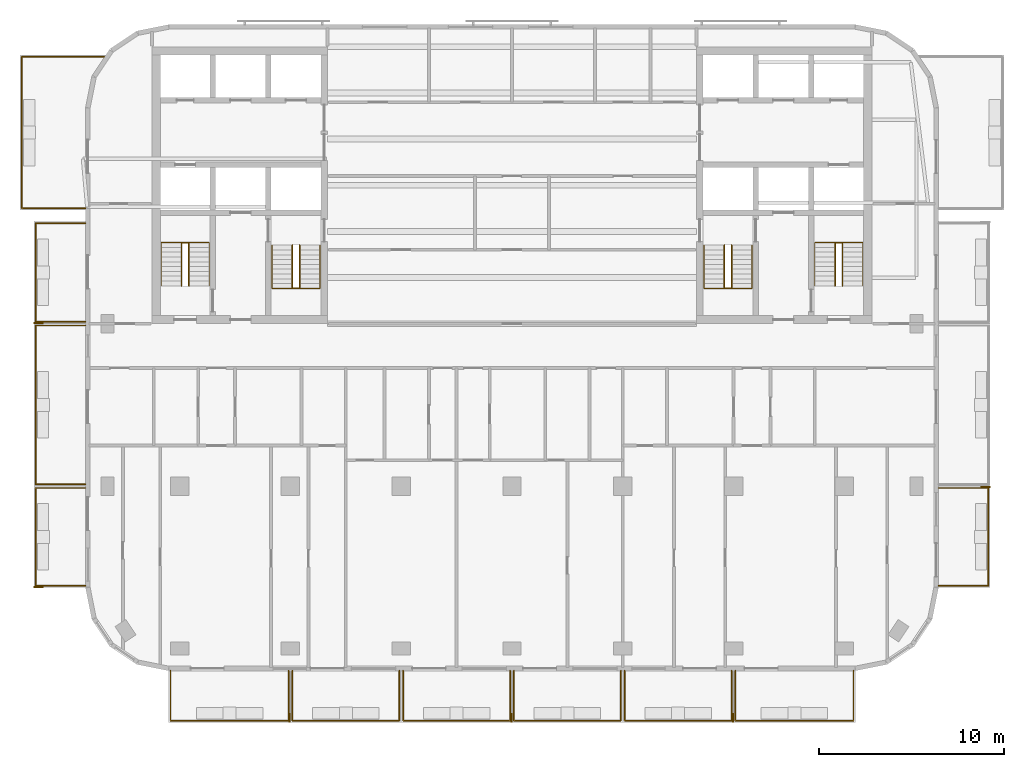
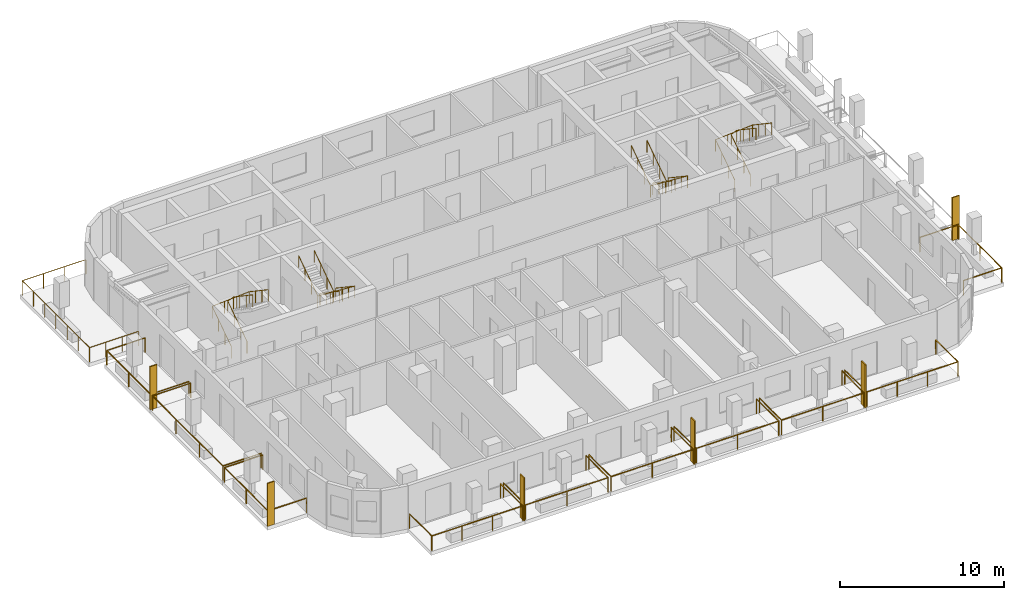
# One storey, part 9 of 11: 19 railings, 6 shading devices.
"""IFC4 building model written with IfcOpenShell, lengths in metres."""

from ifc_helpers import new_model, si_unit, direction, frame, origin, origin_2d, place, context, subcontext, project, spatial, rectangle, circle, extrude, material, layer, layer_set, type_object, element, save


model = new_model("IFC4")

# Units and contexts
model_context = context("Model", 3, precision=1e-05, world=origin(), true_north=direction((0.0, 1.0)))
body_context = subcontext(model_context, "Body", "Model", "MODEL_VIEW")
ifc_project = project(units=[si_unit("LENGTHUNIT", "METRE"), si_unit("AREAUNIT", "SQUARE_METRE"), si_unit("VOLUMEUNIT", "CUBIC_METRE"), si_unit("PLANEANGLEUNIT", "RADIAN"), si_unit("MASSUNIT", "GRAM", prefix="KILO")], contexts=[model_context])

# Site, building, storey
site_placement = place(None, origin())
site = spatial("IfcSite", under=ifc_project, at=site_placement, CompositionType="ELEMENT")
building_placement = place(site_placement, origin())
building = spatial("IfcBuilding", under=site, at=building_placement, Name="Torana Hotel and Residences", CompositionType="ELEMENT")
storey_placement = place(building_placement, frame((0.0, 0.0, 305.10009765625)))
storey = spatial("IfcBuildingStorey", under=building, at=storey_placement, Name="L81", CompositionType="ELEMENT", Elevation=305.10009765625)

# Shading devices
ifc_material_1 = material(Name="Black powder coated aluminium", Category="aluminium")
ifc_layer = layer(ifc_material_1, 0.080078125)
ifc_layer_set = layer_set([ifc_layer], Name="FN1 VERTICAL FIN 500x80")
shading_device_type = type_object("IfcShadingDeviceType", Name="FN1 VERTICAL FIN 500x80", PredefinedType="USERDEFINED", material=ifc_layer_set)
for number, where, z_axis, x_axis, name in (
    (1, (-12.0400390625, -36.35009765625, 0.0), (0.0, 0.0, 1.0), (-1.0, 0.0, 0.0), "Fin 01"),
    (2, (-0.0400390625, -36.35009765625, 0.0), (0.0, 0.0, 1.0), (-1.0, 0.0, 0.0), "Fin 03"),
    (3, (11.9599609375, -36.35009765625, 0.0), (0.0, 0.0, 1.0), (-1.0, 0.0, 0.0), "Fin 05"),
    (4, (-25.64990234375, -29.260009765625, 0.0), (0.0, 0.0, 1.0), (0.0, 1.0, 0.0), "Fin 07"),
    (5, (-25.64990234375, -14.9599609375, 0.0), (0.0, 0.0, 1.0), (0.0, 1.0, 0.0), "Fin 09"),
    (6, (25.64990234375, -23.840087890625, 0.0), (0.0, 0.0, 1.0), (0.0, -1.0, 0.0), "Fin 11"),
):
    element("IfcShadingDevice", number, at=place(storey_placement, frame(where, z_axis=z_axis, x_axis=x_axis)), inside=storey, type_object=shading_device_type, Name=name, ObjectType="FIN", PredefinedType="USERDEFINED", context=body_context, shape_type="SweptSolid", body=[
        extrude(rectangle(XDim=0.080078125, YDim=0.5, at=origin_2d()), origin(), (0.0, 0.0, 1.0), 3.199951171875),
    ])

# Railings
ifc_material_2 = material(Name="Laminated glass balustrade with black handrail", Category="glass")
railing_type_1 = type_object("IfcRailingType", Name="GR1 BALCONY GUARD 1100 GLASS", PredefinedType="GUARDRAIL", material=ifc_material_2)
railing_1_placement = place(storey_placement, frame((-12.10009765625, -33.800048828125, 0.0)))
element("IfcRailing", 7, at=railing_1_placement, inside=storey, type_object=railing_type_1, Name="Balcony guard 01", PredefinedType="GUARDRAIL", context=body_context, shape_type="SweptSolid", body=[
    extrude(circle(Radius=0.02392578125, at=origin_2d()), frame((0.0, 0.0, 1.076171875), z_axis=(0.0, -1.0, 0.0), x_axis=(1.0, 0.0, 0.0)), (0.0, 0.0, 1.0), 2.699951171875),
    extrude(circle(Radius=0.02392578125, at=origin_2d()), frame((0.0, -2.699951171875, 1.076171875), z_axis=(-1.0, 0.0, 0.0), x_axis=(0.0, -1.0, 0.0)), (0.0, 0.0, 1.0), 6.39990234375),
    extrude(circle(Radius=0.02392578125, at=origin_2d()), frame((-6.39990234375, -2.699951171875, 1.076171875), z_axis=(0.0, 1.0, 0.0), x_axis=(-1.0, 0.0, 0.0)), (0.0, 0.0, 1.0), 2.699951171875),
    extrude(circle(Radius=0.02099609375, at=origin_2d()), origin(), (0.0, 0.0, 1.0), 1.052001953125),
    extrude(circle(Radius=0.02099609375, at=origin_2d()), frame((0.0, -2.699951171875, 0.0)), (0.0, 0.0, 1.0), 1.052001953125),
    extrude(circle(Radius=0.02099609375, at=origin_2d()), frame((-2.13330078125, -2.699951171875, 0.0)), (0.0, 0.0, 1.0), 1.052001953125),
    extrude(circle(Radius=0.02099609375, at=origin_2d()), frame((-4.2666015625, -2.699951171875, 0.0)), (0.0, 0.0, 1.0), 1.052001953125),
    extrude(circle(Radius=0.02099609375, at=origin_2d()), frame((-6.39990234375, -2.699951171875, 0.0)), (0.0, 0.0, 1.0), 1.052001953125),
    extrude(circle(Radius=0.02099609375, at=origin_2d()), frame((-6.39990234375, 0.0, 0.0)), (0.0, 0.0, 1.0), 1.052001953125),
])
for number, where, name in (
    (8, (-6.10009765625, -33.800048828125, 0.0), "Balcony guard 02"),
    (9, (-0.10009765625, -33.800048828125, 0.0), "Balcony guard 03"),
    (10, (5.89990234375, -33.800048828125, 0.0), "Balcony guard 04"),
    (11, (11.89990234375, -33.800048828125, 0.0), "Balcony guard 05"),
):
    element("IfcRailing", number, at=place(storey_placement, frame(where)), inside=storey, type_object=railing_type_1, Name=name, PredefinedType="GUARDRAIL", context=body_context, shape_type="SweptSolid", body=[
        extrude(circle(Radius=0.02392578125, at=origin_2d()), frame((0.0, 0.0, 1.076171875), z_axis=(0.0, -1.0, 0.0), x_axis=(1.0, 0.0, 0.0)), (0.0, 0.0, 1.0), 2.699951171875),
        extrude(circle(Radius=0.02392578125, at=origin_2d()), frame((0.0, -2.699951171875, 1.076171875), z_axis=(-1.0, 0.0, 0.0), x_axis=(0.0, -1.0, 0.0)), (0.0, 0.0, 1.0), 5.7998046875),
        extrude(circle(Radius=0.02392578125, at=origin_2d()), frame((-5.7998046875, -2.699951171875, 1.076171875), z_axis=(0.0, 1.0, 0.0), x_axis=(-1.0, 0.0, 0.0)), (0.0, 0.0, 1.0), 2.699951171875),
        extrude(circle(Radius=0.02099609375, at=origin_2d()), origin(), (0.0, 0.0, 1.0), 1.052001953125),
        extrude(circle(Radius=0.02099609375, at=origin_2d()), frame((0.0, -2.699951171875, 0.0)), (0.0, 0.0, 1.0), 1.052001953125),
        extrude(circle(Radius=0.02099609375, at=origin_2d()), frame((-2.89990234375, -2.699951171875, 0.0)), (0.0, 0.0, 1.0), 1.052001953125),
        extrude(circle(Radius=0.02099609375, at=origin_2d()), frame((-5.7998046875, -2.699951171875, 0.0)), (0.0, 0.0, 1.0), 1.052001953125),
        extrude(circle(Radius=0.02099609375, at=origin_2d()), frame((-5.7998046875, 0.0, 0.0)), (0.0, 0.0, 1.0), 1.052001953125),
    ])
railing_2_placement = place(storey_placement, frame((18.5, -33.800048828125, 0.0)))
element("IfcRailing", 12, at=railing_2_placement, inside=storey, type_object=railing_type_1, Name="Balcony guard 06", PredefinedType="GUARDRAIL", context=body_context, shape_type="SweptSolid", body=[
    extrude(circle(Radius=0.02392578125, at=origin_2d()), frame((0.0, 0.0, 1.076171875), z_axis=(0.0, -1.0, 0.0), x_axis=(1.0, 0.0, 0.0)), (0.0, 0.0, 1.0), 2.699951171875),
    extrude(circle(Radius=0.02392578125, at=origin_2d()), frame((0.0, -2.699951171875, 1.076171875), z_axis=(-1.0, 0.0, 0.0), x_axis=(0.0, -1.0, 0.0)), (0.0, 0.0, 1.0), 6.39990234375),
    extrude(circle(Radius=0.02392578125, at=origin_2d()), frame((-6.39990234375, -2.699951171875, 1.076171875), z_axis=(0.0, 1.0, 0.0), x_axis=(-1.0, 0.0, 0.0)), (0.0, 0.0, 1.0), 2.699951171875),
    extrude(circle(Radius=0.02099609375, at=origin_2d()), origin(), (0.0, 0.0, 1.0), 1.052001953125),
    extrude(circle(Radius=0.02099609375, at=origin_2d()), frame((0.0, -2.699951171875, 0.0)), (0.0, 0.0, 1.0), 1.052001953125),
    extrude(circle(Radius=0.02099609375, at=origin_2d()), frame((-2.13330078125, -2.699951171875, 0.0)), (0.0, 0.0, 1.0), 1.052001953125),
    extrude(circle(Radius=0.02099609375, at=origin_2d()), frame((-4.2666015625, -2.699951171875, 0.0)), (0.0, 0.0, 1.0), 1.052001953125),
    extrude(circle(Radius=0.02099609375, at=origin_2d()), frame((-6.39990234375, -2.699951171875, 0.0)), (0.0, 0.0, 1.0), 1.052001953125),
    extrude(circle(Radius=0.02099609375, at=origin_2d()), frame((-6.39990234375, 0.0, 0.0)), (0.0, 0.0, 1.0), 1.052001953125),
])
railing_3_placement = place(storey_placement, frame((-23.10009765625, -29.199951171875, 0.0)))
element("IfcRailing", 13, at=railing_3_placement, inside=storey, type_object=railing_type_1, Name="Balcony guard 07", PredefinedType="GUARDRAIL", context=body_context, shape_type="SweptSolid", body=[
    extrude(circle(Radius=0.02392578125, at=origin_2d()), frame((0.0, 0.0, 1.076171875), z_axis=(-1.0, 0.0, 0.0), x_axis=(0.0, -1.0, 0.0)), (0.0, 0.0, 1.0), 2.699951171875),
    extrude(circle(Radius=0.02392578125, at=origin_2d()), frame((-2.699951171875, 0.0, 1.076171875), z_axis=(0.0, 1.0, 0.0), x_axis=(-1.0, 0.0, 0.0)), (0.0, 0.0, 1.0), 5.300048828125),
    extrude(circle(Radius=0.02392578125, at=origin_2d()), frame((-2.699951171875, 5.300048828125, 1.076171875), z_axis=(1.0, 0.0, 0.0), x_axis=(0.0, 1.0, 0.0)), (0.0, 0.0, 1.0), 2.699951171875),
    extrude(circle(Radius=0.02099609375, at=origin_2d()), origin(), (0.0, 0.0, 1.0), 1.052001953125),
    extrude(circle(Radius=0.02099609375, at=origin_2d()), frame((-2.699951171875, 0.0, 0.0)), (0.0, 0.0, 1.0), 1.052001953125),
    extrude(circle(Radius=0.02099609375, at=origin_2d()), frame((-2.699951171875, 2.64990234375, 0.0)), (0.0, 0.0, 1.0), 1.052001953125),
    extrude(circle(Radius=0.02099609375, at=origin_2d()), frame((-2.699951171875, 5.300048828125, 0.0)), (0.0, 0.0, 1.0), 1.052001953125),
    extrude(circle(Radius=0.02099609375, at=origin_2d()), frame((0.0, 5.300048828125, 0.0)), (0.0, 0.0, 1.0), 1.052001953125),
])
railing_4_placement = place(storey_placement, frame((-23.10009765625, -23.699951171875, 0.0)))
element("IfcRailing", 14, at=railing_4_placement, inside=storey, type_object=railing_type_1, Name="Balcony guard 08", PredefinedType="GUARDRAIL", context=body_context, shape_type="SweptSolid", body=[
    extrude(circle(Radius=0.02392578125, at=origin_2d()), frame((0.0, 0.0, 1.076171875), z_axis=(-1.0, 0.0, 0.0), x_axis=(0.0, -1.0, 0.0)), (0.0, 0.0, 1.0), 2.699951171875),
    extrude(circle(Radius=0.02392578125, at=origin_2d()), frame((-2.699951171875, 0.0, 1.076171875), z_axis=(0.0, 1.0, 0.0), x_axis=(-1.0, 0.0, 0.0)), (0.0, 0.0, 1.0), 8.599853515625),
    extrude(circle(Radius=0.02392578125, at=origin_2d()), frame((-2.699951171875, 8.599853515625, 1.076171875), z_axis=(1.0, 0.0, 0.0), x_axis=(0.0, 1.0, 0.0)), (0.0, 0.0, 1.0), 2.699951171875),
    extrude(circle(Radius=0.02099609375, at=origin_2d()), origin(), (0.0, 0.0, 1.0), 1.052001953125),
    extrude(circle(Radius=0.02099609375, at=origin_2d()), frame((-2.699951171875, 0.0, 0.0)), (0.0, 0.0, 1.0), 1.052001953125),
    extrude(circle(Radius=0.02099609375, at=origin_2d()), frame((-2.699951171875, 2.86669921875, 0.0)), (0.0, 0.0, 1.0), 1.052001953125),
    extrude(circle(Radius=0.02099609375, at=origin_2d()), frame((-2.699951171875, 5.733154296875, 0.0)), (0.0, 0.0, 1.0), 1.052001953125),
    extrude(circle(Radius=0.02099609375, at=origin_2d()), frame((-2.699951171875, 8.599853515625, 0.0)), (0.0, 0.0, 1.0), 1.052001953125),
    extrude(circle(Radius=0.02099609375, at=origin_2d()), frame((0.0, 8.599853515625, 0.0)), (0.0, 0.0, 1.0), 1.052001953125),
])
railing_5_placement = place(storey_placement, frame((-23.10009765625, -14.89990234375, 0.0)))
element("IfcRailing", 15, at=railing_5_placement, inside=storey, type_object=railing_type_1, Name="Balcony guard 09", PredefinedType="GUARDRAIL", context=body_context, shape_type="SweptSolid", body=[
    extrude(circle(Radius=0.02392578125, at=origin_2d()), frame((0.0, 0.0, 1.076171875), z_axis=(-1.0, 0.0, 0.0), x_axis=(0.0, -1.0, 0.0)), (0.0, 0.0, 1.0), 2.699951171875),
    extrude(circle(Radius=0.02392578125, at=origin_2d()), frame((-2.699951171875, 0.0, 1.076171875), z_axis=(0.0, 1.0, 0.0), x_axis=(-1.0, 0.0, 0.0)), (0.0, 0.0, 1.0), 5.349853515625),
    extrude(circle(Radius=0.02392578125, at=origin_2d()), frame((-2.699951171875, 5.349853515625, 1.076171875), z_axis=(1.0, 0.0, 0.0), x_axis=(0.0, 1.0, 0.0)), (0.0, 0.0, 1.0), 2.699951171875),
    extrude(circle(Radius=0.02099609375, at=origin_2d()), origin(), (0.0, 0.0, 1.0), 1.052001953125),
    extrude(circle(Radius=0.02099609375, at=origin_2d()), frame((-2.699951171875, 0.0, 0.0)), (0.0, 0.0, 1.0), 1.052001953125),
    extrude(circle(Radius=0.02099609375, at=origin_2d()), frame((-2.699951171875, 2.6748046875, 0.0)), (0.0, 0.0, 1.0), 1.052001953125),
    extrude(circle(Radius=0.02099609375, at=origin_2d()), frame((-2.699951171875, 5.349853515625, 0.0)), (0.0, 0.0, 1.0), 1.052001953125),
    extrude(circle(Radius=0.02099609375, at=origin_2d()), frame((0.0, 5.349853515625, 0.0)), (0.0, 0.0, 1.0), 1.052001953125),
])
railing_6_placement = place(storey_placement, frame((-23.10009765625, -8.75, 0.0)))
element("IfcRailing", 16, at=railing_6_placement, inside=storey, type_object=railing_type_1, Name="Balcony guard 10", PredefinedType="GUARDRAIL", context=body_context, shape_type="SweptSolid", body=[
    extrude(circle(Radius=0.02392578125, at=origin_2d()), frame((0.0, 0.0, 1.076171875), z_axis=(-1.0, 0.0, 0.0), x_axis=(0.0, -1.0, 0.0)), (0.0, 0.0, 1.0), 3.449951171875),
    extrude(circle(Radius=0.02392578125, at=origin_2d()), frame((-3.449951171875, 0.0, 1.076171875), z_axis=(0.0, 1.0, 0.0), x_axis=(-1.0, 0.0, 0.0)), (0.0, 0.0, 1.0), 8.199951171875),
    extrude(circle(Radius=0.02392578125, at=origin_2d()), frame((-3.449951171875, 8.199951171875, 1.076171875), z_axis=(1.0, 0.0, 0.0), x_axis=(0.0, 1.0, 0.0)), (0.0, 0.0, 1.0), 4.479248046875),
    extrude(circle(Radius=0.02099609375, at=origin_2d()), origin(), (0.0, 0.0, 1.0), 1.052001953125),
    extrude(circle(Radius=0.02099609375, at=origin_2d()), frame((-1.14990234375, 0.0, 0.0)), (0.0, 0.0, 1.0), 1.052001953125),
    extrude(circle(Radius=0.02099609375, at=origin_2d()), frame((-2.300048828125, 0.0, 0.0)), (0.0, 0.0, 1.0), 1.052001953125),
    extrude(circle(Radius=0.02099609375, at=origin_2d()), frame((-3.449951171875, 0.0, 0.0)), (0.0, 0.0, 1.0), 1.052001953125),
    extrude(circle(Radius=0.02099609375, at=origin_2d()), frame((-3.449951171875, 1.36669921875, 0.0)), (0.0, 0.0, 1.0), 1.052001953125),
    extrude(circle(Radius=0.02099609375, at=origin_2d()), frame((-3.449951171875, 2.7333984375, 0.0)), (0.0, 0.0, 1.0), 1.052001953125),
    extrude(circle(Radius=0.02099609375, at=origin_2d()), frame((-3.449951171875, 4.10009765625, 0.0)), (0.0, 0.0, 1.0), 1.052001953125),
    extrude(circle(Radius=0.02099609375, at=origin_2d()), frame((-3.449951171875, 5.466552734375, 0.0)), (0.0, 0.0, 1.0), 1.052001953125),
    extrude(circle(Radius=0.02099609375, at=origin_2d()), frame((-3.449951171875, 6.833251953125, 0.0)), (0.0, 0.0, 1.0), 1.052001953125),
    extrude(circle(Radius=0.02099609375, at=origin_2d()), frame((-3.449951171875, 8.199951171875, 0.0)), (0.0, 0.0, 1.0), 1.052001953125),
    extrude(circle(Radius=0.02099609375, at=origin_2d()), frame((-1.956787109375, 8.199951171875, 0.0)), (0.0, 0.0, 1.0), 1.052001953125),
    extrude(circle(Radius=0.02099609375, at=origin_2d()), frame((-0.4638671875, 8.199951171875, 0.0)), (0.0, 0.0, 1.0), 1.052001953125),
    extrude(circle(Radius=0.02099609375, at=origin_2d()), frame((1.029296875, 8.199951171875, 0.0)), (0.0, 0.0, 1.0), 1.052001953125),
])
railing_7_placement = place(storey_placement, frame((23.10009765625, -23.89990234375, 0.0)))
element("IfcRailing", 17, at=railing_7_placement, inside=storey, type_object=railing_type_1, Name="Balcony guard 11", PredefinedType="GUARDRAIL", context=body_context, shape_type="SweptSolid", body=[
    extrude(circle(Radius=0.02392578125, at=origin_2d()), frame((0.0, 0.0, 1.076171875), z_axis=(1.0, 0.0, 0.0), x_axis=(0.0, 1.0, 0.0)), (0.0, 0.0, 1.0), 2.699951171875),
    extrude(circle(Radius=0.02392578125, at=origin_2d()), frame((2.699951171875, 0.0, 1.076171875), z_axis=(0.0, -1.0, 0.0), x_axis=(1.0, 0.0, 0.0)), (0.0, 0.0, 1.0), 5.300048828125),
    extrude(circle(Radius=0.02392578125, at=origin_2d()), frame((2.699951171875, -5.300048828125, 1.076171875), z_axis=(-1.0, 0.0, 0.0), x_axis=(0.0, -1.0, 0.0)), (0.0, 0.0, 1.0), 2.699951171875),
    extrude(circle(Radius=0.02099609375, at=origin_2d()), origin(), (0.0, 0.0, 1.0), 1.052001953125),
    extrude(circle(Radius=0.02099609375, at=origin_2d()), frame((2.699951171875, 0.0, 0.0)), (0.0, 0.0, 1.0), 1.052001953125),
    extrude(circle(Radius=0.02099609375, at=origin_2d()), frame((2.699951171875, -2.64990234375, 0.0)), (0.0, 0.0, 1.0), 1.052001953125),
    extrude(circle(Radius=0.02099609375, at=origin_2d()), frame((2.699951171875, -5.300048828125, 0.0)), (0.0, 0.0, 1.0), 1.052001953125),
    extrude(circle(Radius=0.02099609375, at=origin_2d()), frame((0.0, -5.300048828125, 0.0)), (0.0, 0.0, 1.0), 1.052001953125),
])
ifc_material_3 = material(Name="Stainless steel 316", Category="steel")
railing_type_2 = type_object("IfcRailingType", Name="STAIR HANDRAIL HR1 900", PredefinedType="HANDRAIL", material=ifc_material_3)
railing_8_placement = place(storey_placement, frame((-10.39990234375, -10.75, 0.1748046875)))
element("IfcRailing", 18, at=railing_8_placement, inside=storey, type_object=railing_type_2, Name="Handrail ST1 L81 O1", PredefinedType="HANDRAIL", context=body_context, shape_type="SweptSolid", body=[
    extrude(circle(Radius=0.02392578125, at=origin_2d()), frame((0.0, 0.0, 0.8759765625), z_axis=(0.0, -0.829565388462, 0.558409586474), x_axis=(1.0, 0.0, 0.0)), (0.0, 0.0, 1.0), 2.82080078125),
    extrude(circle(Radius=0.02392578125, at=origin_2d()), frame((0.0, -2.340087890625, 2.451171875), z_axis=(-0.997747692642, 0.0, 0.067078624219), x_axis=(0.0, -1.0, 0.0)), (0.0, 0.0, 1.0), 2.60595703125),
    extrude(circle(Radius=0.02392578125, at=origin_2d()), frame((-2.60009765625, -2.340087890625, 2.6259765625), z_axis=(0.0, 0.829565388462, 0.558409586474), x_axis=(-1.0, 0.0, 0.0)), (0.0, 0.0, 1.0), 2.82080078125),
    extrude(circle(Radius=0.02099609375, at=origin_2d()), origin(), (0.0, 0.0, 1.0), 0.851806640625),
    extrude(circle(Radius=0.02099609375, at=origin_2d()), frame((0.0, -0.780029296875, 0.525146484375)), (0.0, 0.0, 1.0), 0.851806640625),
    extrude(circle(Radius=0.02099609375, at=origin_2d()), frame((0.0, -1.56005859375, 1.050048828125)), (0.0, 0.0, 1.0), 0.851806640625),
    extrude(circle(Radius=0.02099609375, at=origin_2d()), frame((0.0, -2.340087890625, 1.5751953125)), (0.0, 0.0, 1.0), 0.851806640625),
    extrude(circle(Radius=0.02099609375, at=origin_2d()), frame((-0.86669921875, -2.340087890625, 1.633544921875)), (0.0, 0.0, 1.0), 0.851806640625),
    extrude(circle(Radius=0.02099609375, at=origin_2d()), frame((-1.7333984375, -2.340087890625, 1.691650390625)), (0.0, 0.0, 1.0), 0.851806640625),
    extrude(circle(Radius=0.02099609375, at=origin_2d()), frame((-2.60009765625, -2.340087890625, 1.75)), (0.0, 0.0, 1.0), 0.851806640625),
    extrude(circle(Radius=0.02099609375, at=origin_2d()), frame((-2.60009765625, -1.56005859375, 2.275146484375)), (0.0, 0.0, 1.0), 0.851806640625),
    extrude(circle(Radius=0.02099609375, at=origin_2d()), frame((-2.60009765625, -0.780029296875, 2.800048828125)), (0.0, 0.0, 1.0), 0.851806640625),
    extrude(circle(Radius=0.02099609375, at=origin_2d()), frame((-2.60009765625, 0.0, 3.3251953125)), (0.0, 0.0, 1.0), 0.851806640625),
])
railing_9_placement = place(storey_placement, frame((-11.5, -10.75, 0.1748046875)))
element("IfcRailing", 19, at=railing_9_placement, inside=storey, type_object=railing_type_2, Name="Handrail ST1 L81 I1", PredefinedType="HANDRAIL", context=body_context, shape_type="SweptSolid", body=[
    extrude(circle(Radius=0.02392578125, at=origin_2d()), frame((0.0, 0.0, 0.8759765625), z_axis=(0.0, -0.829565388462, 0.558409586474), x_axis=(1.0, 0.0, 0.0)), (0.0, 0.0, 1.0), 2.82080078125),
    extrude(circle(Radius=0.02392578125, at=origin_2d()), frame((0.0, -2.340087890625, 2.451171875), z_axis=(-0.916285673175, 0.0, 0.400525361412), x_axis=(0.0, -1.0, 0.0)), (0.0, 0.0, 1.0), 0.4365234375),
    extrude(circle(Radius=0.02392578125, at=origin_2d()), frame((-0.39990234375, -2.340087890625, 2.6259765625), z_axis=(0.0, 0.829565388462, 0.558409586474), x_axis=(-1.0, 0.0, 0.0)), (0.0, 0.0, 1.0), 2.82080078125),
    extrude(circle(Radius=0.02099609375, at=origin_2d()), origin(), (0.0, 0.0, 1.0), 0.851806640625),
    extrude(circle(Radius=0.02099609375, at=origin_2d()), frame((0.0, -0.780029296875, 0.525146484375)), (0.0, 0.0, 1.0), 0.851806640625),
    extrude(circle(Radius=0.02099609375, at=origin_2d()), frame((0.0, -1.56005859375, 1.050048828125)), (0.0, 0.0, 1.0), 0.851806640625),
    extrude(circle(Radius=0.02099609375, at=origin_2d()), frame((0.0, -2.340087890625, 1.5751953125)), (0.0, 0.0, 1.0), 0.851806640625),
    extrude(circle(Radius=0.02099609375, at=origin_2d()), frame((-0.39990234375, -2.340087890625, 1.75)), (0.0, 0.0, 1.0), 0.851806640625),
    extrude(circle(Radius=0.02099609375, at=origin_2d()), frame((-0.39990234375, -1.56005859375, 2.275146484375)), (0.0, 0.0, 1.0), 0.851806640625),
    extrude(circle(Radius=0.02099609375, at=origin_2d()), frame((-0.39990234375, -0.780029296875, 2.800048828125)), (0.0, 0.0, 1.0), 0.851806640625),
    extrude(circle(Radius=0.02099609375, at=origin_2d()), frame((-0.39990234375, 0.0, 3.3251953125)), (0.0, 0.0, 1.0), 0.851806640625),
])
railing_10_placement = place(storey_placement, frame((-19.0, -12.949951171875, 0.1748046875)))
element("IfcRailing", 20, at=railing_10_placement, inside=storey, type_object=railing_type_2, Name="Handrail ST2 L81 O1", PredefinedType="HANDRAIL", context=body_context, shape_type="SweptSolid", body=[
    extrude(circle(Radius=0.02392578125, at=origin_2d()), frame((0.0, 0.0, 0.8759765625), z_axis=(0.0, 0.829538397957, 0.558449681095), x_axis=(-1.0, 0.0, 0.0)), (0.0, 0.0, 1.0), 2.820556640625),
    extrude(circle(Radius=0.02392578125, at=origin_2d()), frame((0.0, 2.33984375, 2.451171875), z_axis=(0.997747692642, 0.0, 0.067078624219), x_axis=(0.0, 1.0, 0.0)), (0.0, 0.0, 1.0), 2.60595703125),
    extrude(circle(Radius=0.02392578125, at=origin_2d()), frame((2.60009765625, 2.33984375, 2.6259765625), z_axis=(0.0, -0.829538397957, 0.558449681095), x_axis=(1.0, 0.0, 0.0)), (0.0, 0.0, 1.0), 2.820556640625),
    extrude(circle(Radius=0.02099609375, at=origin_2d()), origin(), (0.0, 0.0, 1.0), 0.851806640625),
    extrude(circle(Radius=0.02099609375, at=origin_2d()), frame((0.0, 0.780029296875, 0.525146484375)), (0.0, 0.0, 1.0), 0.851806640625),
    extrude(circle(Radius=0.02099609375, at=origin_2d()), frame((0.0, 1.559814453125, 1.050048828125)), (0.0, 0.0, 1.0), 0.851806640625),
    extrude(circle(Radius=0.02099609375, at=origin_2d()), frame((0.0, 2.33984375, 1.5751953125)), (0.0, 0.0, 1.0), 0.851806640625),
    extrude(circle(Radius=0.02099609375, at=origin_2d()), frame((0.86669921875, 2.33984375, 1.633544921875)), (0.0, 0.0, 1.0), 0.851806640625),
    extrude(circle(Radius=0.02099609375, at=origin_2d()), frame((1.7333984375, 2.33984375, 1.691650390625)), (0.0, 0.0, 1.0), 0.851806640625),
    extrude(circle(Radius=0.02099609375, at=origin_2d()), frame((2.60009765625, 2.33984375, 1.75)), (0.0, 0.0, 1.0), 0.851806640625),
    extrude(circle(Radius=0.02099609375, at=origin_2d()), frame((2.60009765625, 1.559814453125, 2.275146484375)), (0.0, 0.0, 1.0), 0.851806640625),
    extrude(circle(Radius=0.02099609375, at=origin_2d()), frame((2.60009765625, 0.780029296875, 2.800048828125)), (0.0, 0.0, 1.0), 0.851806640625),
    extrude(circle(Radius=0.02099609375, at=origin_2d()), frame((2.60009765625, 0.0, 3.3251953125)), (0.0, 0.0, 1.0), 0.851806640625),
])
railing_11_placement = place(storey_placement, frame((-17.89990234375, -12.949951171875, 0.1748046875)))
element("IfcRailing", 21, at=railing_11_placement, inside=storey, type_object=railing_type_2, Name="Handrail ST2 L81 I1", PredefinedType="HANDRAIL", context=body_context, shape_type="SweptSolid", body=[
    extrude(circle(Radius=0.02392578125, at=origin_2d()), frame((0.0, 0.0, 0.8759765625), z_axis=(0.0, 0.829538397957, 0.558449681095), x_axis=(-1.0, 0.0, 0.0)), (0.0, 0.0, 1.0), 2.820556640625),
    extrude(circle(Radius=0.02392578125, at=origin_2d()), frame((0.0, 2.33984375, 2.451171875), z_axis=(0.916285673175, 0.0, 0.400525361412), x_axis=(0.0, 1.0, 0.0)), (0.0, 0.0, 1.0), 0.4365234375),
    extrude(circle(Radius=0.02392578125, at=origin_2d()), frame((0.39990234375, 2.33984375, 2.6259765625), z_axis=(0.0, -0.829538397957, 0.558449681095), x_axis=(1.0, 0.0, 0.0)), (0.0, 0.0, 1.0), 2.820556640625),
    extrude(circle(Radius=0.02099609375, at=origin_2d()), origin(), (0.0, 0.0, 1.0), 0.851806640625),
    extrude(circle(Radius=0.02099609375, at=origin_2d()), frame((0.0, 0.780029296875, 0.525146484375)), (0.0, 0.0, 1.0), 0.851806640625),
    extrude(circle(Radius=0.02099609375, at=origin_2d()), frame((0.0, 1.559814453125, 1.050048828125)), (0.0, 0.0, 1.0), 0.851806640625),
    extrude(circle(Radius=0.02099609375, at=origin_2d()), frame((0.0, 2.33984375, 1.5751953125)), (0.0, 0.0, 1.0), 0.851806640625),
    extrude(circle(Radius=0.02099609375, at=origin_2d()), frame((0.39990234375, 2.33984375, 1.75)), (0.0, 0.0, 1.0), 0.851806640625),
    extrude(circle(Radius=0.02099609375, at=origin_2d()), frame((0.39990234375, 1.559814453125, 2.275146484375)), (0.0, 0.0, 1.0), 0.851806640625),
    extrude(circle(Radius=0.02099609375, at=origin_2d()), frame((0.39990234375, 0.780029296875, 2.800048828125)), (0.0, 0.0, 1.0), 0.851806640625),
    extrude(circle(Radius=0.02099609375, at=origin_2d()), frame((0.39990234375, 0.0, 3.3251953125)), (0.0, 0.0, 1.0), 0.851806640625),
])
railing_12_placement = place(storey_placement, frame((13.0, -10.75, 0.1748046875)))
element("IfcRailing", 22, at=railing_12_placement, inside=storey, type_object=railing_type_2, Name="Handrail ST3 L81 O1", PredefinedType="HANDRAIL", context=body_context, shape_type="SweptSolid", body=[
    extrude(circle(Radius=0.02392578125, at=origin_2d()), frame((0.0, 0.0, 0.8759765625), z_axis=(0.0, -0.829565388462, 0.558409586474), x_axis=(1.0, 0.0, 0.0)), (0.0, 0.0, 1.0), 2.82080078125),
    extrude(circle(Radius=0.02392578125, at=origin_2d()), frame((0.0, -2.340087890625, 2.451171875), z_axis=(-0.997747692642, 0.0, 0.067078624219), x_axis=(0.0, -1.0, 0.0)), (0.0, 0.0, 1.0), 2.60595703125),
    extrude(circle(Radius=0.02392578125, at=origin_2d()), frame((-2.60009765625, -2.340087890625, 2.6259765625), z_axis=(0.0, 0.829565388462, 0.558409586474), x_axis=(-1.0, 0.0, 0.0)), (0.0, 0.0, 1.0), 2.82080078125),
    extrude(circle(Radius=0.02099609375, at=origin_2d()), origin(), (0.0, 0.0, 1.0), 0.851806640625),
    extrude(circle(Radius=0.02099609375, at=origin_2d()), frame((0.0, -0.780029296875, 0.525146484375)), (0.0, 0.0, 1.0), 0.851806640625),
    extrude(circle(Radius=0.02099609375, at=origin_2d()), frame((0.0, -1.56005859375, 1.050048828125)), (0.0, 0.0, 1.0), 0.851806640625),
    extrude(circle(Radius=0.02099609375, at=origin_2d()), frame((0.0, -2.340087890625, 1.5751953125)), (0.0, 0.0, 1.0), 0.851806640625),
    extrude(circle(Radius=0.02099609375, at=origin_2d()), frame((-0.86669921875, -2.340087890625, 1.633544921875)), (0.0, 0.0, 1.0), 0.851806640625),
    extrude(circle(Radius=0.02099609375, at=origin_2d()), frame((-1.7333984375, -2.340087890625, 1.691650390625)), (0.0, 0.0, 1.0), 0.851806640625),
    extrude(circle(Radius=0.02099609375, at=origin_2d()), frame((-2.60009765625, -2.340087890625, 1.75)), (0.0, 0.0, 1.0), 0.851806640625),
    extrude(circle(Radius=0.02099609375, at=origin_2d()), frame((-2.60009765625, -1.56005859375, 2.275146484375)), (0.0, 0.0, 1.0), 0.851806640625),
    extrude(circle(Radius=0.02099609375, at=origin_2d()), frame((-2.60009765625, -0.780029296875, 2.800048828125)), (0.0, 0.0, 1.0), 0.851806640625),
    extrude(circle(Radius=0.02099609375, at=origin_2d()), frame((-2.60009765625, 0.0, 3.3251953125)), (0.0, 0.0, 1.0), 0.851806640625),
])
railing_13_placement = place(storey_placement, frame((11.89990234375, -10.75, 0.1748046875)))
element("IfcRailing", 23, at=railing_13_placement, inside=storey, type_object=railing_type_2, Name="Handrail ST3 L81 I1", PredefinedType="HANDRAIL", context=body_context, shape_type="SweptSolid", body=[
    extrude(circle(Radius=0.02392578125, at=origin_2d()), frame((0.0, 0.0, 0.8759765625), z_axis=(0.0, -0.829565388462, 0.558409586474), x_axis=(1.0, 0.0, 0.0)), (0.0, 0.0, 1.0), 2.82080078125),
    extrude(circle(Radius=0.02392578125, at=origin_2d()), frame((0.0, -2.340087890625, 2.451171875), z_axis=(-0.916285673175, 0.0, 0.400525361412), x_axis=(0.0, -1.0, 0.0)), (0.0, 0.0, 1.0), 0.4365234375),
    extrude(circle(Radius=0.02392578125, at=origin_2d()), frame((-0.39990234375, -2.340087890625, 2.6259765625), z_axis=(0.0, 0.829565388462, 0.558409586474), x_axis=(-1.0, 0.0, 0.0)), (0.0, 0.0, 1.0), 2.82080078125),
    extrude(circle(Radius=0.02099609375, at=origin_2d()), origin(), (0.0, 0.0, 1.0), 0.851806640625),
    extrude(circle(Radius=0.02099609375, at=origin_2d()), frame((0.0, -0.780029296875, 0.525146484375)), (0.0, 0.0, 1.0), 0.851806640625),
    extrude(circle(Radius=0.02099609375, at=origin_2d()), frame((0.0, -1.56005859375, 1.050048828125)), (0.0, 0.0, 1.0), 0.851806640625),
    extrude(circle(Radius=0.02099609375, at=origin_2d()), frame((0.0, -2.340087890625, 1.5751953125)), (0.0, 0.0, 1.0), 0.851806640625),
    extrude(circle(Radius=0.02099609375, at=origin_2d()), frame((-0.39990234375, -2.340087890625, 1.75)), (0.0, 0.0, 1.0), 0.851806640625),
    extrude(circle(Radius=0.02099609375, at=origin_2d()), frame((-0.39990234375, -1.56005859375, 2.275146484375)), (0.0, 0.0, 1.0), 0.851806640625),
    extrude(circle(Radius=0.02099609375, at=origin_2d()), frame((-0.39990234375, -0.780029296875, 2.800048828125)), (0.0, 0.0, 1.0), 0.851806640625),
    extrude(circle(Radius=0.02099609375, at=origin_2d()), frame((-0.39990234375, 0.0, 3.3251953125)), (0.0, 0.0, 1.0), 0.851806640625),
])
railing_14_placement = place(storey_placement, frame((16.39990234375, -12.949951171875, 0.1748046875)))
element("IfcRailing", 24, at=railing_14_placement, inside=storey, type_object=railing_type_2, Name="Handrail ST4 L81 O1", PredefinedType="HANDRAIL", context=body_context, shape_type="SweptSolid", body=[
    extrude(circle(Radius=0.02392578125, at=origin_2d()), frame((0.0, 0.0, 0.8759765625), z_axis=(0.0, 0.829538397957, 0.558449681095), x_axis=(-1.0, 0.0, 0.0)), (0.0, 0.0, 1.0), 2.820556640625),
    extrude(circle(Radius=0.02392578125, at=origin_2d()), frame((0.0, 2.33984375, 2.451171875), z_axis=(0.997747692642, 0.0, 0.067078624219), x_axis=(0.0, 1.0, 0.0)), (0.0, 0.0, 1.0), 2.60595703125),
    extrude(circle(Radius=0.02392578125, at=origin_2d()), frame((2.60009765625, 2.33984375, 2.6259765625), z_axis=(0.0, -0.829538397957, 0.558449681095), x_axis=(1.0, 0.0, 0.0)), (0.0, 0.0, 1.0), 2.820556640625),
    extrude(circle(Radius=0.02099609375, at=origin_2d()), origin(), (0.0, 0.0, 1.0), 0.851806640625),
    extrude(circle(Radius=0.02099609375, at=origin_2d()), frame((0.0, 0.780029296875, 0.525146484375)), (0.0, 0.0, 1.0), 0.851806640625),
    extrude(circle(Radius=0.02099609375, at=origin_2d()), frame((0.0, 1.559814453125, 1.050048828125)), (0.0, 0.0, 1.0), 0.851806640625),
    extrude(circle(Radius=0.02099609375, at=origin_2d()), frame((0.0, 2.33984375, 1.5751953125)), (0.0, 0.0, 1.0), 0.851806640625),
    extrude(circle(Radius=0.02099609375, at=origin_2d()), frame((0.86669921875, 2.33984375, 1.633544921875)), (0.0, 0.0, 1.0), 0.851806640625),
    extrude(circle(Radius=0.02099609375, at=origin_2d()), frame((1.7333984375, 2.33984375, 1.691650390625)), (0.0, 0.0, 1.0), 0.851806640625),
    extrude(circle(Radius=0.02099609375, at=origin_2d()), frame((2.60009765625, 2.33984375, 1.75)), (0.0, 0.0, 1.0), 0.851806640625),
    extrude(circle(Radius=0.02099609375, at=origin_2d()), frame((2.60009765625, 1.559814453125, 2.275146484375)), (0.0, 0.0, 1.0), 0.851806640625),
    extrude(circle(Radius=0.02099609375, at=origin_2d()), frame((2.60009765625, 0.780029296875, 2.800048828125)), (0.0, 0.0, 1.0), 0.851806640625),
    extrude(circle(Radius=0.02099609375, at=origin_2d()), frame((2.60009765625, 0.0, 3.3251953125)), (0.0, 0.0, 1.0), 0.851806640625),
])
railing_15_placement = place(storey_placement, frame((17.5, -12.949951171875, 0.1748046875)))
element("IfcRailing", 25, at=railing_15_placement, inside=storey, type_object=railing_type_2, Name="Handrail ST4 L81 I1", PredefinedType="HANDRAIL", context=body_context, shape_type="SweptSolid", body=[
    extrude(circle(Radius=0.02392578125, at=origin_2d()), frame((0.0, 0.0, 0.8759765625), z_axis=(0.0, 0.829538397957, 0.558449681095), x_axis=(-1.0, 0.0, 0.0)), (0.0, 0.0, 1.0), 2.820556640625),
    extrude(circle(Radius=0.02392578125, at=origin_2d()), frame((0.0, 2.33984375, 2.451171875), z_axis=(0.916285673175, 0.0, 0.400525361412), x_axis=(0.0, 1.0, 0.0)), (0.0, 0.0, 1.0), 0.4365234375),
    extrude(circle(Radius=0.02392578125, at=origin_2d()), frame((0.39990234375, 2.33984375, 2.6259765625), z_axis=(0.0, -0.829538397957, 0.558449681095), x_axis=(1.0, 0.0, 0.0)), (0.0, 0.0, 1.0), 2.820556640625),
    extrude(circle(Radius=0.02099609375, at=origin_2d()), origin(), (0.0, 0.0, 1.0), 0.851806640625),
    extrude(circle(Radius=0.02099609375, at=origin_2d()), frame((0.0, 0.780029296875, 0.525146484375)), (0.0, 0.0, 1.0), 0.851806640625),
    extrude(circle(Radius=0.02099609375, at=origin_2d()), frame((0.0, 1.559814453125, 1.050048828125)), (0.0, 0.0, 1.0), 0.851806640625),
    extrude(circle(Radius=0.02099609375, at=origin_2d()), frame((0.0, 2.33984375, 1.5751953125)), (0.0, 0.0, 1.0), 0.851806640625),
    extrude(circle(Radius=0.02099609375, at=origin_2d()), frame((0.39990234375, 2.33984375, 1.75)), (0.0, 0.0, 1.0), 0.851806640625),
    extrude(circle(Radius=0.02099609375, at=origin_2d()), frame((0.39990234375, 1.559814453125, 2.275146484375)), (0.0, 0.0, 1.0), 0.851806640625),
    extrude(circle(Radius=0.02099609375, at=origin_2d()), frame((0.39990234375, 0.780029296875, 2.800048828125)), (0.0, 0.0, 1.0), 0.851806640625),
    extrude(circle(Radius=0.02099609375, at=origin_2d()), frame((0.39990234375, 0.0, 3.3251953125)), (0.0, 0.0, 1.0), 0.851806640625),
])

save(model, "model.ifc")
